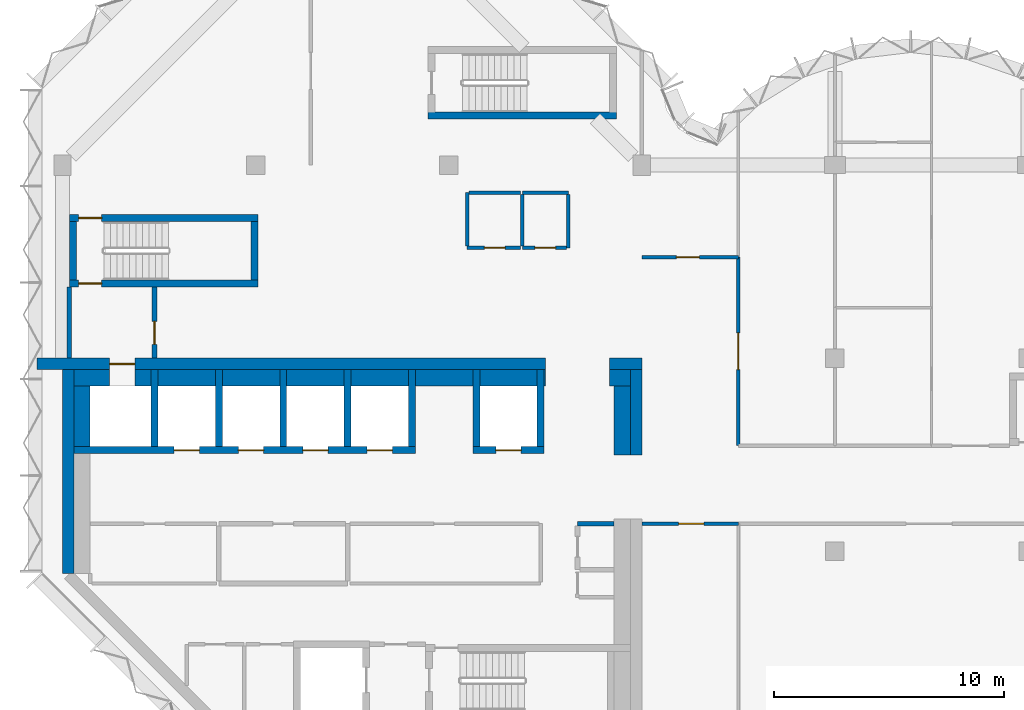
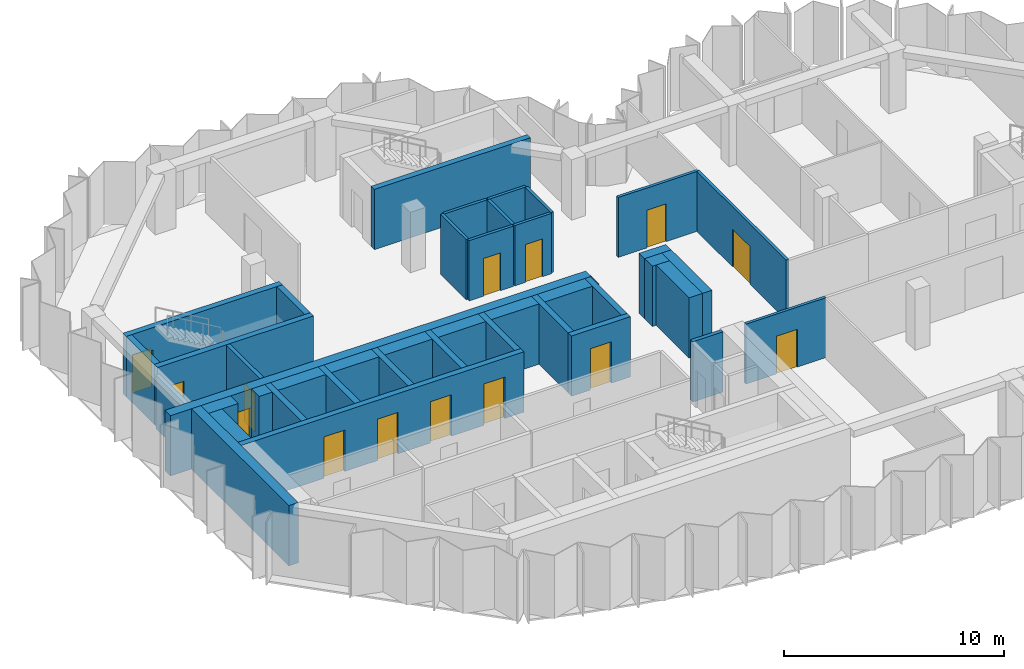
# One storey, part 5 of 9: 43 walls, 14 doors, 14 openings.
"""IFC4 building model written with IfcOpenShell, lengths in metres."""

import ifcopenshell
import ifcopenshell.guid

model = None  # the IFC model being written
_history = None  # IfcOwnerHistory: only IFC2X3 demands one
_inside = {}  # id of a spatial element -> (the spatial element, [elements in it])
_under = {}  # id of a project, library or spatial element -> (it, [spatial elements below it])
_declared = {}  # id of a project -> (the project, [libraries it declares])
_typed = {}  # id of a type object -> (the type object, [elements of that type])
_made_of = {}  # id of a material, layer set ... -> (it, [elements and type objects made of it])


def new_model(schema):
    """Start an empty IFC model of exactly this schema.

    Asked for "IFC4X3", IfcOpenShell would pick the latest addendum, in which some entities
    have other attributes; the version numbers below select the first issue.
    IFC2X3 requires an IfcOwnerHistory on every rooted entity: one is made here for all.
    """
    global model, _history
    if schema == "IFC4X3":
        model = ifcopenshell.file(schema_version=(4, 3, 0, 0))
    else:
        model = ifcopenshell.file(schema=schema)
    _inside.clear()
    _under.clear()
    _declared.clear()
    _typed.clear()
    _made_of.clear()
    _history = None
    if model.schema == "IFC2X3":
        org = make("IfcOrganization", Name="unknown")
        user = make(
            "IfcPersonAndOrganization",
            ThePerson=make("IfcPerson", FamilyName="unknown"),
            TheOrganization=org,
        )
        app = make(
            "IfcApplication",
            ApplicationDeveloper=org,
            Version="unknown",
            ApplicationFullName="unknown",
            ApplicationIdentifier="unknown",
        )
        _history = make(
            "IfcOwnerHistory",
            OwningUser=user,
            OwningApplication=app,
            ChangeAction="ADDED",
            CreationDate=0,
        )
    return model


def make(cls, **values):
    """One entity of the class cls with the attributes given. An attribute that is None is left unset."""
    return model.create_entity(
        cls, **{name: value for name, value in values.items() if value is not None}
    )


def rooted(cls, **values):
    """An entity with a GlobalId (a new one), such as an element, a storey or a relation."""
    return make(cls, GlobalId=ifcopenshell.guid.new(), OwnerHistory=_history, **values)


def si_unit(unit_type, name, prefix=None):
    """IfcSIUnit, for example si_unit("LENGTHUNIT", "METRE", prefix="MILLI")."""
    return make("IfcSIUnit", UnitType=unit_type, Prefix=prefix, Name=name)


def assignment(units):
    """IfcUnitAssignment: the units of a project."""
    return None if units is None else make("IfcUnitAssignment", Units=units)


def point(xyz):
    """IfcCartesianPoint."""
    return None if xyz is None else make("IfcCartesianPoint", Coordinates=xyz)


def direction(xyz):
    """IfcDirection."""
    return None if xyz is None else make("IfcDirection", DirectionRatios=xyz)


def frame(location, z_axis=None, x_axis=None):
    """IfcAxis2Placement3D, a coordinate frame: its origin and axes. An axis left out is left unset."""
    return make(
        "IfcAxis2Placement3D",
        Location=point(location),
        Axis=direction(z_axis),
        RefDirection=direction(x_axis),
    )


def frame_2d(location, x_axis=None):
    """IfcAxis2Placement2D, a coordinate frame in the plane: its origin and x axis."""
    return make(
        "IfcAxis2Placement2D", Location=point(location), RefDirection=direction(x_axis)
    )


def origin():
    """The frame at (0, 0, 0) with its axes left unset."""
    return frame((0.0, 0.0, 0.0))


def place(relative_to, where):
    """IfcLocalPlacement: puts the frame where relative to a parent placement (None: the world)."""
    return make(
        "IfcLocalPlacement", PlacementRelTo=relative_to, RelativePlacement=where
    )


def context(
    kind, dimensions, precision=None, world=None, true_north=None, identifier=None
):
    """IfcGeometricRepresentationContext, for example the 3D "Model" context."""
    return make(
        "IfcGeometricRepresentationContext",
        ContextIdentifier=identifier,
        ContextType=kind,
        CoordinateSpaceDimension=dimensions,
        Precision=precision,
        WorldCoordinateSystem=world,
        TrueNorth=true_north,
    )


def subcontext(parent, identifier, kind, view, scale=None):
    """IfcGeometricRepresentationSubContext, for example "Body" below "Model"."""
    return make(
        "IfcGeometricRepresentationSubContext",
        ContextIdentifier=identifier,
        ContextType=kind,
        ParentContext=parent,
        TargetScale=scale,
        TargetView=view,
    )


def project(units=None, contexts=None):
    """IfcProject with its units and contexts."""
    return rooted(
        "IfcProject",
        Name="project",
        RepresentationContexts=contexts,
        UnitsInContext=assignment(units),
    )


def spatial(cls, under=None, at=None, **own):
    """A site, building, storey or space (cls), placed at a placement, below another one or the project."""
    s = rooted(cls, ObjectPlacement=at, **own)
    if under is not None:
        _under.setdefault(under.id(), (under, []))[1].append(s)
    return s


def profile(cls, at=None, kind="AREA", **sizes):
    """A parametric profile (cls). Its sizes go by their IFC names, for example OverallWidth=200.0."""
    return make(cls, ProfileType=kind, Position=at, **sizes)


def rectangle(**sizes):
    """IfcRectangleProfileDef."""
    return profile("IfcRectangleProfileDef", **sizes)


def extrude(swept, where, along, depth):
    """IfcExtrudedAreaSolid: the profile swept, set in the frame where, extruded along a direction by depth."""
    return make(
        "IfcExtrudedAreaSolid",
        SweptArea=swept,
        Position=where,
        ExtrudedDirection=direction(along),
        Depth=depth,
    )


def shape(context_of_items, identifier, shape_type, items):
    """IfcShapeRepresentation: the items that make up one representation, for example the "Body"."""
    return make(
        "IfcShapeRepresentation",
        ContextOfItems=context_of_items,
        RepresentationIdentifier=identifier,
        RepresentationType=shape_type,
        Items=items,
    )


def material(Name=None, Category=None):
    """IfcMaterial."""
    return make("IfcMaterial", Name=Name, Category=Category)


def layer(
    of_material, thickness, ventilated=None, Name=None, Category=None, Priority=None
):
    """IfcMaterialLayer: one layer of a wall or slab, of a material (None: an air gap)."""
    return make(
        "IfcMaterialLayer",
        Material=of_material,
        LayerThickness=thickness,
        IsVentilated=ventilated,
        Name=Name,
        Category=Category,
        Priority=Priority,
    )


def layer_set(layers, Name=None):
    """IfcMaterialLayerSet."""
    return make("IfcMaterialLayerSet", MaterialLayers=layers, LayerSetName=Name)


def made_of(thing, what):
    """Note that an element or type object is made of a material, layer set ...; save() writes the relation."""
    if what is not None:
        _made_of.setdefault(what.id(), (what, []))[1].append(thing)
    return thing


def type_object(cls, material=None, **own):
    """A type object (cls), such as IfcWallType, which elements share."""
    return made_of(rooted(cls, **own), material)


def element(
    cls,
    number,
    at=None,
    inside=None,
    cuts=None,
    type_object=None,
    material=None,
    context=None,
    identifier="Body",
    shape_type=None,
    held_by="IfcProductDefinitionShape",
    body=None,
    shapes=None,
    **own,
):
    """One element of the class cls, such as IfcWall. Its Tag is "e" and its number.

    at: its placement. inside: the storey or other place that contains it. cuts: it is an
    opening in that element (IfcRelVoidsElement). A single representation is given by context,
    identifier, shape_type and body (its items); several are given by shapes. held_by: the class
    of the entity that holds the representations. save() writes the other relations.
    """
    e = rooted(cls, Tag="e%d" % number, ObjectPlacement=at, **own)
    if body is not None:
        shapes = [shape(context, identifier, shape_type, body)]
    if shapes is not None:
        e.Representation = make(held_by, Representations=shapes)
    if inside is not None:
        _inside.setdefault(inside.id(), (inside, []))[1].append(e)
    if cuts is not None:
        rooted(
            "IfcRelVoidsElement", RelatingBuildingElement=cuts, RelatedOpeningElement=e
        )
    if type_object is not None:
        _typed.setdefault(type_object.id(), (type_object, []))[1].append(e)
    return made_of(e, material)


def fill(opening, filler):
    """IfcRelFillsElement: the door or window that sits in an opening."""
    return rooted(
        "IfcRelFillsElement",
        RelatingOpeningElement=opening,
        RelatedBuildingElement=filler,
    )


def aggregate(whole, parts):
    """IfcRelAggregates: a whole, such as a stair, and the parts it consists of."""
    return rooted("IfcRelAggregates", RelatingObject=whole, RelatedObjects=parts)


def save(model, path):
    """Write the relations noted so far, then the file.

    IfcRelAggregates (storeys below a building ...), IfcRelContainedInSpatialStructure (elements
    in a storey), IfcRelDefinesByType, IfcRelAssociatesMaterial and IfcRelDeclares: one each for
    every whole, place, type object, material and project.
    """
    for whole, parts in _under.values():
        aggregate(whole, parts)
    for where, things in _inside.values():
        rooted(
            "IfcRelContainedInSpatialStructure",
            RelatedElements=things,
            RelatingStructure=where,
        )
    for kind, things in _typed.values():
        rooted("IfcRelDefinesByType", RelatedObjects=things, RelatingType=kind)
    for what, things in _made_of.values():
        rooted("IfcRelAssociatesMaterial", RelatedObjects=things, RelatingMaterial=what)
    for by, libraries in _declared.values():
        rooted("IfcRelDeclares", RelatingContext=by, RelatedDefinitions=libraries)
    model.write(path)


model = new_model("IFC4")

# Units and contexts
model_context = context("Model", 3, precision=1e-05, world=origin(), true_north=direction((0.0, 1.0)))
body_context = subcontext(model_context, "Body", "Model", "MODEL_VIEW")
ifc_project = project(units=[si_unit("LENGTHUNIT", "METRE"), si_unit("AREAUNIT", "SQUARE_METRE"), si_unit("VOLUMEUNIT", "CUBIC_METRE"), si_unit("PLANEANGLEUNIT", "RADIAN"), si_unit("MASSUNIT", "GRAM", prefix="KILO")], contexts=[model_context])

# Site, building, storey
site_placement = place(None, origin())
site = spatial("IfcSite", under=ifc_project, at=site_placement, CompositionType="ELEMENT")
building_placement = place(site_placement, origin())
building = spatial("IfcBuilding", under=site, at=building_placement, Name="Brevane Broadcast Tower", CompositionType="ELEMENT")
storey_placement = place(building_placement, frame((0.0, 0.0, 240.89990234375)))
storey = spatial("IfcBuildingStorey", under=building, at=storey_placement, Name="L61", CompositionType="ELEMENT", Elevation=240.89990234375)

# Walls
ifc_material_1 = material(Name="Concrete C32/40", Category="concrete")
ifc_layer_1 = layer(ifc_material_1, 0.699951171875)
ifc_layer_set_1 = layer_set([ifc_layer_1], Name="Core chase wall 700 mm")
wall_type_1 = type_object("IfcWallType", Name="Core chase wall 700 mm", PredefinedType="PARTITIONING", material=ifc_layer_set_1)
wall_1_placement = place(storey_placement, frame((24.35009765625, 12.60009765625, 0.0), z_axis=(0.0, 0.0, 1.0), x_axis=(0.0, 1.0, 0.0)))
element("IfcWall", 1, at=wall_1_placement, inside=storey, type_object=wall_type_1, Name="L61 chase wall LE2", PredefinedType="PARTITIONING", context=body_context, shape_type="SweptSolid", body=[
    extrude(rectangle(XDim=3.0, YDim=0.699951171875, at=frame_2d((1.5, 0.0))), origin(), (0.0, 0.0, 1.0), 3.35009765625),
])
wall_2_placement = place(storey_placement, frame((0.5, 15.949951171875, 0.0), z_axis=(0.0, 0.0, 1.0), x_axis=(1.0, 0.0, 0.0)))
element("IfcWall", 2, at=wall_2_placement, inside=storey, type_object=wall_type_1, Name="L61 chase wall LN0", PredefinedType="PARTITIONING", context=body_context, shape_type="SweptSolid", body=[
    extrude(rectangle(XDim=1.550048828125, YDim=0.699951171875, at=frame_2d((0.77490234375, 0.0))), origin(), (0.0, 0.0, 1.0), 3.35009765625),
])
wall_3_placement = place(storey_placement, frame((23.800048828125, 15.949951171875, 0.0), z_axis=(0.0, 0.0, 1.0), x_axis=(1.0, 0.0, 0.0)))
element("IfcWall", 3, at=wall_3_placement, inside=storey, type_object=wall_type_1, Name="L61 chase wall LN2", PredefinedType="PARTITIONING", context=body_context, shape_type="SweptSolid", body=[
    extrude(rectangle(XDim=0.89990234375, YDim=0.699951171875, at=frame_2d((0.449951171875, 0.0))), origin(), (0.0, 0.0, 1.0), 3.35009765625),
])
wall_4_placement = place(storey_placement, frame((0.85009765625, 12.949951171875, 0.0), z_axis=(0.0, 0.0, 1.0), x_axis=(0.0, 1.0, 0.0)))
element("IfcWall", 4, at=wall_4_placement, inside=storey, type_object=wall_type_1, Name="L61 chase wall LW-2", PredefinedType="PARTITIONING", context=body_context, shape_type="SweptSolid", body=[
    extrude(rectangle(XDim=2.650146484375, YDim=0.699951171875, at=frame_2d((1.3251953125, 0.0))), origin(), (0.0, 0.0, 1.0), 3.35009765625),
])
wall_5_placement = place(storey_placement, frame((3.14990234375, 15.949951171875, 0.0), z_axis=(0.0, 0.0, 1.0), x_axis=(1.0, 0.0, 0.0)))
element("IfcWall", 5, at=wall_5_placement, inside=storey, type_object=wall_type_1, Name="L61 chase wall LN1-1", PredefinedType="PARTITIONING", context=body_context, shape_type="SweptSolid", body=[
    extrude(rectangle(XDim=0.7001953125, YDim=0.699951171875, at=frame_2d((0.35009765625, 0.0))), origin(), (0.0, 0.0, 1.0), 3.35009765625),
])
for number, where, z_axis, x_axis, name in (
    (6, (4.14990234375, 15.949951171875, 0.0), (0.0, 0.0, 1.0), (1.0, 0.0, 0.0), "L61 chase wall LN1-2-1"),
    (7, (6.949951171875, 15.949951171875, 0.0), (0.0, 0.0, 1.0), (1.0, 0.0, 0.0), "L61 chase wall LN1-2-2-1"),
    (8, (9.75, 15.949951171875, 0.0), (0.0, 0.0, 1.0), (1.0, 0.0, 0.0), "L61 chase wall LN1-2-2-2-1"),
    (9, (12.550048828125, 15.949951171875, 0.0), (0.0, 0.0, 1.0), (1.0, 0.0, 0.0), "L61 chase wall LN1-2-2-2-2-1"),
    (10, (15.35009765625, 15.949951171875, 0.0), (0.0, 0.0, 1.0), (1.0, 0.0, 0.0), "L61 chase wall LN1-2-2-2-2-2-1"),
    (11, (18.14990234375, 15.949951171875, 0.0), (0.0, 0.0, 1.0), (1.0, 0.0, 0.0), "L61 chase wall LN1-2-2-2-2-2-2-1"),
):
    element("IfcWall", number, at=place(storey_placement, frame(where, z_axis=z_axis, x_axis=x_axis)), inside=storey, type_object=wall_type_1, Name=name, PredefinedType="PARTITIONING", context=body_context, shape_type="SweptSolid", body=[
        extrude(rectangle(XDim=2.5, YDim=0.699951171875, at=frame_2d((1.25, 0.0))), origin(), (0.0, 0.0, 1.0), 3.35009765625),
    ])
wall_6_placement = place(storey_placement, frame((20.949951171875, 15.949951171875, 0.0), z_axis=(0.0, 0.0, 1.0), x_axis=(1.0, 0.0, 0.0)))
element("IfcWall", 12, at=wall_6_placement, inside=storey, type_object=wall_type_1, Name="L61 chase wall LN1-2-2-2-2-2-2-2", PredefinedType="PARTITIONING", context=body_context, shape_type="SweptSolid", body=[
    extrude(rectangle(XDim=0.050048828125, YDim=0.699951171875, at=frame_2d((0.02490234375, 0.0))), origin(), (0.0, 0.0, 1.0), 3.35009765625),
])
ifc_material_2 = material(Name="Gypsum board on steel studs", Category="steel")
ifc_layer_2 = layer(ifc_material_2, 0.14990234375)
ifc_layer_set_2 = layer_set([ifc_layer_2], Name="Core fire partition 150 mm")
wall_type_2 = type_object("IfcWallType", Name="Core fire partition 150 mm", PredefinedType="PARTITIONING", material=ifc_layer_set_2)
wall_7_placement = place(storey_placement, frame((20.0, 24.0, 0.0), z_axis=(0.0, 0.0, 1.0), x_axis=(1.0, 0.0, 0.0)))
element("IfcWall", 13, at=wall_7_placement, inside=storey, type_object=wall_type_2, Name="L61 partition wall P22", PredefinedType="PARTITIONING", context=body_context, shape_type="SweptSolid", body=[
    extrude(rectangle(XDim=2.0, YDim=0.14990234375, at=frame_2d((1.0, 0.0))), origin(), (0.0, 0.0, 1.0), 3.35009765625),
])
wall_8_placement = place(storey_placement, frame((22.0, 23.925048828125, 0.0), z_axis=(0.0, 0.0, 1.0), x_axis=(0.0, -1.0, 0.0)))
element("IfcWall", 14, at=wall_8_placement, inside=storey, type_object=wall_type_2, Name="L61 partition wall P23", PredefinedType="PARTITIONING", context=body_context, shape_type="SweptSolid", body=[
    extrude(rectangle(XDim=2.324951171875, YDim=0.14990234375, at=frame_2d((1.16259765625, 0.0))), origin(), (0.0, 0.0, 1.0), 3.35009765625),
])

# Wall, opening, door
wall_9_placement = place(storey_placement, frame((21.925048828125, 21.60009765625, 0.0), z_axis=(0.0, 0.0, 1.0), x_axis=(-1.0, 0.0, 0.0)))
wall_9 = element("IfcWall", 15, at=wall_9_placement, inside=storey, type_object=wall_type_2, Name="L61 partition wall P24", PredefinedType="PARTITIONING", context=body_context, shape_type="SweptSolid", body=[
    extrude(rectangle(XDim=1.925048828125, YDim=0.14990234375, at=frame_2d((0.96240234375, 0.0))), origin(), (0.0, 0.0, 1.0), 3.35009765625),
])
opening_1_placement = place(wall_9_placement, frame((0.47509765625, 0.0, 0.0)))
opening_1 = element("IfcOpeningElement", 16, at=opening_1_placement, cuts=wall_9, Name="Opening L61-K23", PredefinedType="OPENING", context=body_context, shape_type="SweptSolid", body=[
    extrude(rectangle(XDim=0.89990234375, YDim=2.10009765625, at=frame_2d((0.449951171875, 1.050048828125))), frame((0.0, 0.0849609375, 0.0), z_axis=(0.0, -1.0, 0.0), x_axis=(1.0, 0.0, 0.0)), (0.0, 0.0, 1.0), 0.169921875),
])
ifc_material_3 = material(Name="Timber", Category="wood")
door_type_1 = type_object("IfcDoorType", Name="Toilet door 900 x 2100", OperationType="SINGLE_SWING_LEFT", PredefinedType="DOOR", material=ifc_material_3)
door_1_placement = place(opening_1_placement, origin())
door_1 = element("IfcDoor", 17, at=door_1_placement, inside=storey, type_object=door_type_1, Name="Door L61-K23", OperationType="SINGLE_SWING_RIGHT", OverallHeight=2.10009765625, OverallWidth=0.89990234375, PredefinedType="DOOR", context=body_context, shape_type="SweptSolid", body=[
    extrude(rectangle(XDim=0.89990234375, YDim=2.10009765625, at=frame_2d((0.449951171875, 1.050048828125))), frame((0.0, 0.02490234375, 0.0), z_axis=(0.0, -1.0, 0.0), x_axis=(1.0, 0.0, 0.0)), (0.0, 0.0, 1.0), 0.050048828125),
])
fill(opening_1, door_1)

# Wall
wall_10_placement = place(storey_placement, frame((20.0, 21.675048828125, 0.0), z_axis=(0.0, 0.0, 1.0), x_axis=(0.0, 1.0, 0.0)))
element("IfcWall", 18, at=wall_10_placement, inside=storey, type_object=wall_type_2, Name="L61 partition wall P25", PredefinedType="PARTITIONING", context=body_context, shape_type="SweptSolid", body=[
    extrude(rectangle(XDim=2.25, YDim=0.14990234375, at=frame_2d((1.125, 0.0))), origin(), (0.0, 0.0, 1.0), 3.35009765625),
])

# Wall, opening, door
wall_11_placement = place(storey_placement, frame((19.925048828125, 21.60009765625, 0.0), z_axis=(0.0, 0.0, 1.0), x_axis=(-1.0, 0.0, 0.0)))
wall_11 = element("IfcWall", 19, at=wall_11_placement, inside=storey, type_object=wall_type_2, Name="L61 partition wall P26", PredefinedType="PARTITIONING", context=body_context, shape_type="SweptSolid", body=[
    extrude(rectangle(XDim=2.324951171875, YDim=0.14990234375, at=frame_2d((1.16259765625, 0.0))), origin(), (0.0, 0.0, 1.0), 3.35009765625),
])
opening_2_placement = place(wall_11_placement, frame((0.675048828125, 0.0, 0.0)))
opening_2 = element("IfcOpeningElement", 20, at=opening_2_placement, cuts=wall_11, Name="Opening L61-K24", PredefinedType="OPENING", context=body_context, shape_type="SweptSolid", body=[
    extrude(rectangle(XDim=0.89990234375, YDim=2.10009765625, at=frame_2d((0.449951171875, 1.050048828125))), frame((0.0, 0.0849609375, 0.0), z_axis=(0.0, -1.0, 0.0), x_axis=(1.0, 0.0, 0.0)), (0.0, 0.0, 1.0), 0.169921875),
])
ifc_material_4 = material(Name="Steel", Category="steel")
door_type_2 = type_object("IfcDoorType", Name="Service room door 900 x 2100", OperationType="SINGLE_SWING_LEFT", PredefinedType="DOOR", material=ifc_material_4)
door_2_placement = place(opening_2_placement, origin())
door_2 = element("IfcDoor", 21, at=door_2_placement, inside=storey, type_object=door_type_2, Name="Door L61-K24", OperationType="SINGLE_SWING_LEFT", OverallHeight=2.10009765625, OverallWidth=0.89990234375, PredefinedType="DOOR", context=body_context, shape_type="SweptSolid", body=[
    extrude(rectangle(XDim=0.89990234375, YDim=2.10009765625, at=frame_2d((0.449951171875, 1.050048828125))), frame((0.0, 0.02490234375, 0.0), z_axis=(0.0, -1.0, 0.0), x_axis=(1.0, 0.0, 0.0)), (0.0, 0.0, 1.0), 0.050048828125),
])
fill(opening_2, door_2)

# Walls
wall_12_placement = place(storey_placement, frame((17.60009765625, 21.675048828125, 0.0), z_axis=(0.0, 0.0, 1.0), x_axis=(0.0, 1.0, 0.0)))
element("IfcWall", 22, at=wall_12_placement, inside=storey, type_object=wall_type_2, Name="L61 partition wall P27", PredefinedType="PARTITIONING", context=body_context, shape_type="SweptSolid", body=[
    extrude(rectangle(XDim=2.324951171875, YDim=0.14990234375, at=frame_2d((1.16259765625, 0.0))), origin(), (0.0, 0.0, 1.0), 3.35009765625),
])
wall_13_placement = place(storey_placement, frame((17.675048828125, 24.0, 0.0), z_axis=(0.0, 0.0, 1.0), x_axis=(1.0, 0.0, 0.0)))
element("IfcWall", 23, at=wall_13_placement, inside=storey, type_object=wall_type_2, Name="L61 partition wall P28", PredefinedType="PARTITIONING", context=body_context, shape_type="SweptSolid", body=[
    extrude(rectangle(XDim=2.25, YDim=0.14990234375, at=frame_2d((1.125, 0.0))), origin(), (0.0, 0.0, 1.0), 3.35009765625),
])
ifc_layer_3 = layer(ifc_material_2, 0.199951171875)
ifc_layer_set_3 = layer_set([ifc_layer_3], Name="Core fire partition 200 mm")
wall_type_3 = type_object("IfcWallType", Name="Core fire partition 200 mm", PredefinedType="PARTITIONING", material=ifc_layer_set_3)
wall_14_placement = place(storey_placement, frame((0.300048828125, 16.81201171875, 0.0), z_axis=(0.0, 0.0, 1.0), x_axis=(0.0, 1.0, 0.0)))
element("IfcWall", 24, at=wall_14_placement, inside=storey, type_object=wall_type_3, Name="L61 partition wall P01", PredefinedType="PARTITIONING", context=body_context, shape_type="SweptSolid", body=[
    extrude(rectangle(XDim=3.075927734375, YDim=0.199951171875, at=frame_2d((1.5380859375, 0.0))), origin(), (0.0, 0.0, 1.0), 2.97998046875),
])

# Wall, opening, door
wall_15_placement = place(storey_placement, frame((4.0, 19.887939453125, 0.0), z_axis=(0.0, 0.0, 1.0), x_axis=(0.0, -1.0, 0.0)))
wall_15 = element("IfcWall", 25, at=wall_15_placement, inside=storey, type_object=wall_type_3, Name="L61 partition wall P02", PredefinedType="PARTITIONING", context=body_context, shape_type="SweptSolid", body=[
    extrude(rectangle(XDim=3.075927734375, YDim=0.199951171875, at=frame_2d((1.5380859375, 0.0))), origin(), (0.0, 0.0, 1.0), 3.35009765625),
])
opening_3_placement = place(wall_15_placement, frame((1.488037109375, 0.0, 0.0)))
opening_3 = element("IfcOpeningElement", 26, at=opening_3_placement, cuts=wall_15, Name="Opening L61-K22", PredefinedType="OPENING", context=body_context, shape_type="SweptSolid", body=[
    extrude(rectangle(XDim=1.0, YDim=2.10009765625, at=frame_2d((0.5, 1.050048828125))), frame((0.0, 0.10986328125, 0.0), z_axis=(0.0, -1.0, 0.0), x_axis=(1.0, 0.0, 0.0)), (0.0, 0.0, 1.0), 0.219970703125),
])
door_type_3 = type_object("IfcDoorType", Name="Stair door 1000 x 2100", OperationType="SINGLE_SWING_LEFT", PredefinedType="DOOR", material=ifc_material_4)
door_3_placement = place(opening_3_placement, origin())
door_3 = element("IfcDoor", 27, at=door_3_placement, inside=storey, type_object=door_type_3, Name="Door L61-K22", OperationType="SINGLE_SWING_LEFT", OverallHeight=2.10009765625, OverallWidth=1.0, PredefinedType="DOOR", context=body_context, shape_type="SweptSolid", body=[
    extrude(rectangle(XDim=1.0, YDim=2.10009765625, at=frame_2d((0.5, 1.050048828125))), frame((0.0, 0.02490234375, 0.0), z_axis=(0.0, -1.0, 0.0), x_axis=(1.0, 0.0, 0.0)), (0.0, 0.0, 1.0), 0.050048828125),
])
fill(opening_3, door_3)

# Wall
wall_16_placement = place(storey_placement, frame((23.988037109375, 9.60009765625, 0.0), z_axis=(0.0, 0.0, 1.0), x_axis=(-1.0, 0.0, 0.0)))
element("IfcWall", 28, at=wall_16_placement, inside=storey, type_object=wall_type_3, Name="L61 partition wall P04", PredefinedType="PARTITIONING", context=body_context, shape_type="SweptSolid", body=[
    extrude(rectangle(XDim=1.588134765625, YDim=0.199951171875, at=frame_2d((0.7939453125, 0.0))), origin(), (0.0, 0.0, 1.0), 3.35009765625),
])

# Wall, openings, doors
ifc_material_5 = material(Name="Concrete C50/60", Category="concrete")
ifc_layer_4 = layer(ifc_material_5, 0.300048828125)
ifc_layer_set_4 = layer_set([ifc_layer_4], Name="Core wall 300 mm C50/60")
wall_type_4 = type_object("IfcWallType", Name="Core wall 300 mm C50/60", PredefinedType="SHEAR", material=ifc_layer_set_4)
wall_17_placement = place(storey_placement, frame((0.5, 12.800048828125, 0.0), z_axis=(0.0, 0.0, 1.0), x_axis=(1.0, 0.0, 0.0)))
wall_17 = element("IfcWall", 29, at=wall_17_placement, inside=storey, type_object=wall_type_4, Name="L61 shaft wall SH-N012-front", PredefinedType="SHEAR", context=body_context, shape_type="SweptSolid", body=[
    extrude(rectangle(XDim=14.85009765625, YDim=0.300048828125, at=frame_2d((7.425048828125, 0.0))), origin(), (0.0, 0.0, 1.0), 3.35009765625),
])
opening_4_placement = place(wall_17_placement, frame((4.35009765625, 0.0, 0.0)))
opening_4 = element("IfcOpeningElement", 30, at=opening_4_placement, cuts=wall_17, Name="Opening LD", PredefinedType="OPENING", context=body_context, shape_type="SweptSolid", body=[
    extrude(rectangle(XDim=1.10009765625, YDim=2.300048828125, at=frame_2d((0.550048828125, 1.14990234375))), frame((0.0, 0.159912109375, 0.0), z_axis=(0.0, -1.0, 0.0), x_axis=(1.0, 0.0, 0.0)), (0.0, 0.0, 1.0), 0.320068359375),
])
opening_5_placement = place(wall_17_placement, frame((7.14990234375, 0.0, 0.0)))
opening_5 = element("IfcOpeningElement", 31, at=opening_5_placement, cuts=wall_17, Name="Opening LD", PredefinedType="OPENING", context=body_context, shape_type="SweptSolid", body=[
    extrude(rectangle(XDim=1.10009765625, YDim=2.300048828125, at=frame_2d((0.550048828125, 1.14990234375))), frame((0.0, 0.159912109375, 0.0), z_axis=(0.0, -1.0, 0.0), x_axis=(1.0, 0.0, 0.0)), (0.0, 0.0, 1.0), 0.320068359375),
])
opening_6_placement = place(wall_17_placement, frame((9.949951171875, 0.0, 0.0)))
opening_6 = element("IfcOpeningElement", 32, at=opening_6_placement, cuts=wall_17, Name="Opening LD", PredefinedType="OPENING", context=body_context, shape_type="SweptSolid", body=[
    extrude(rectangle(XDim=1.10009765625, YDim=2.300048828125, at=frame_2d((0.550048828125, 1.14990234375))), frame((0.0, 0.159912109375, 0.0), z_axis=(0.0, -1.0, 0.0), x_axis=(1.0, 0.0, 0.0)), (0.0, 0.0, 1.0), 0.320068359375),
])
opening_7_placement = place(wall_17_placement, frame((12.75, 0.0, 0.0)))
opening_7 = element("IfcOpeningElement", 33, at=opening_7_placement, cuts=wall_17, Name="Opening LD", PredefinedType="OPENING", context=body_context, shape_type="SweptSolid", body=[
    extrude(rectangle(XDim=1.10009765625, YDim=2.300048828125, at=frame_2d((0.550048828125, 1.14990234375))), frame((0.0, 0.159912109375, 0.0), z_axis=(0.0, -1.0, 0.0), x_axis=(1.0, 0.0, 0.0)), (0.0, 0.0, 1.0), 0.320068359375),
])
ifc_material_6 = material(Name="Stainless steel", Category="steel")
door_type_4 = type_object("IfcDoorType", Name="Lift landing door", OperationType="SLIDING_TO_LEFT", PredefinedType="DOOR", material=ifc_material_6)
door_4_placement = place(opening_4_placement, origin())
door_4 = element("IfcDoor", 34, at=door_4_placement, inside=storey, type_object=door_type_4, Name="Landing door HR1 L61", OperationType="SLIDING_TO_LEFT", OverallHeight=2.300048828125, OverallWidth=1.10009765625, PredefinedType="DOOR", context=body_context, shape_type="SweptSolid", body=[
    extrude(rectangle(XDim=1.10009765625, YDim=2.300048828125, at=frame_2d((0.550048828125, 1.14990234375))), frame((0.0, 0.02490234375, 0.0), z_axis=(0.0, -1.0, 0.0), x_axis=(1.0, 0.0, 0.0)), (0.0, 0.0, 1.0), 0.050048828125),
])
fill(opening_4, door_4)
door_5_placement = place(opening_5_placement, origin())
door_5 = element("IfcDoor", 35, at=door_5_placement, inside=storey, type_object=door_type_4, Name="Landing door HR2 L61", OperationType="SLIDING_TO_LEFT", OverallHeight=2.300048828125, OverallWidth=1.10009765625, PredefinedType="DOOR", context=body_context, shape_type="SweptSolid", body=[
    extrude(rectangle(XDim=1.10009765625, YDim=2.300048828125, at=frame_2d((0.550048828125, 1.14990234375))), frame((0.0, 0.02490234375, 0.0), z_axis=(0.0, -1.0, 0.0), x_axis=(1.0, 0.0, 0.0)), (0.0, 0.0, 1.0), 0.050048828125),
])
fill(opening_5, door_5)
door_6_placement = place(opening_6_placement, origin())
door_6 = element("IfcDoor", 36, at=door_6_placement, inside=storey, type_object=door_type_4, Name="Landing door HR3 L61", OperationType="SLIDING_TO_LEFT", OverallHeight=2.300048828125, OverallWidth=1.10009765625, PredefinedType="DOOR", context=body_context, shape_type="SweptSolid", body=[
    extrude(rectangle(XDim=1.10009765625, YDim=2.300048828125, at=frame_2d((0.550048828125, 1.14990234375))), frame((0.0, 0.02490234375, 0.0), z_axis=(0.0, -1.0, 0.0), x_axis=(1.0, 0.0, 0.0)), (0.0, 0.0, 1.0), 0.050048828125),
])
fill(opening_6, door_6)
door_7_placement = place(opening_7_placement, origin())
door_7 = element("IfcDoor", 37, at=door_7_placement, inside=storey, type_object=door_type_4, Name="Landing door HR4 L61", OperationType="SLIDING_TO_LEFT", OverallHeight=2.300048828125, OverallWidth=1.10009765625, PredefinedType="DOOR", context=body_context, shape_type="SweptSolid", body=[
    extrude(rectangle(XDim=1.10009765625, YDim=2.300048828125, at=frame_2d((0.550048828125, 1.14990234375))), frame((0.0, 0.02490234375, 0.0), z_axis=(0.0, -1.0, 0.0), x_axis=(1.0, 0.0, 0.0)), (0.0, 0.0, 1.0), 0.050048828125),
])
fill(opening_7, door_7)

# Walls
for number, where, z_axis, x_axis, name in (
    (38, (4.0, 12.949951171875, 0.0), (0.0, 0.0, 1.0), (0.0, 1.0, 0.0), "L61 shaft wall SH-N-P040"),
    (39, (6.800048828125, 12.949951171875, 0.0), (0.0, 0.0, 1.0), (0.0, 1.0, 0.0), "L61 shaft wall SH-N-P068"),
    (40, (9.60009765625, 12.949951171875, 0.0), (0.0, 0.0, 1.0), (0.0, 1.0, 0.0), "L61 shaft wall SH-N-P096"),
    (41, (12.39990234375, 12.949951171875, 0.0), (0.0, 0.0, 1.0), (0.0, 1.0, 0.0), "L61 shaft wall SH-N-P124"),
    (42, (15.199951171875, 12.949951171875, 0.0), (0.0, 0.0, 1.0), (0.0, 1.0, 0.0), "L61 shaft wall SH-N-P152"),
):
    element("IfcWall", number, at=place(storey_placement, frame(where, z_axis=z_axis, x_axis=x_axis)), inside=storey, type_object=wall_type_4, Name=name, PredefinedType="SHEAR", context=body_context, shape_type="SweptSolid", body=[
        extrude(rectangle(XDim=3.35009765625, YDim=0.300048828125, at=frame_2d((1.675048828125, 0.0))), origin(), (0.0, 0.0, 1.0), 3.35009765625),
    ])

# Wall, opening, door
wall_18_placement = place(storey_placement, frame((17.85009765625, 12.800048828125, 0.0), z_axis=(0.0, 0.0, 1.0), x_axis=(1.0, 0.0, 0.0)))
wall_18 = element("IfcWall", 43, at=wall_18_placement, inside=storey, type_object=wall_type_4, Name="L61 shaft wall SH-N180-front", PredefinedType="SHEAR", context=body_context, shape_type="SweptSolid", body=[
    extrude(rectangle(XDim=3.099853515625, YDim=0.300048828125, at=frame_2d((1.5498046875, 0.0))), origin(), (0.0, 0.0, 1.0), 3.35009765625),
])
opening_8_placement = place(wall_18_placement, frame((1.0, 0.0, 0.0)))
opening_8 = element("IfcOpeningElement", 44, at=opening_8_placement, cuts=wall_18, Name="Opening LD", PredefinedType="OPENING", context=body_context, shape_type="SweptSolid", body=[
    extrude(rectangle(XDim=1.10009765625, YDim=2.300048828125, at=frame_2d((0.550048828125, 1.14990234375))), frame((0.0, 0.159912109375, 0.0), z_axis=(0.0, -1.0, 0.0), x_axis=(1.0, 0.0, 0.0)), (0.0, 0.0, 1.0), 0.320068359375),
])
door_8_placement = place(opening_8_placement, origin())
door_8 = element("IfcDoor", 45, at=door_8_placement, inside=storey, type_object=door_type_4, Name="Landing door SL1 L61", OperationType="SLIDING_TO_LEFT", OverallHeight=2.300048828125, OverallWidth=1.10009765625, PredefinedType="DOOR", context=body_context, shape_type="SweptSolid", body=[
    extrude(rectangle(XDim=1.10009765625, YDim=2.300048828125, at=frame_2d((0.550048828125, 1.14990234375))), frame((0.0, 0.02490234375, 0.0), z_axis=(0.0, -1.0, 0.0), x_axis=(1.0, 0.0, 0.0)), (0.0, 0.0, 1.0), 0.050048828125),
])
fill(opening_8, door_8)

# Walls
for number, where, z_axis, x_axis, name in (
    (46, (18.0, 12.949951171875, 0.0), (0.0, 0.0, 1.0), (0.0, 1.0, 0.0), "L61 shaft wall SH-N-P180"),
    (47, (20.800048828125, 12.949951171875, 0.0), (0.0, 0.0, 1.0), (0.0, 1.0, 0.0), "L61 shaft wall SH-N-P208"),
):
    element("IfcWall", number, at=place(storey_placement, frame(where, z_axis=z_axis, x_axis=x_axis)), inside=storey, type_object=wall_type_4, Name=name, PredefinedType="SHEAR", context=body_context, shape_type="SweptSolid", body=[
        extrude(rectangle(XDim=3.35009765625, YDim=0.300048828125, at=frame_2d((1.675048828125, 0.0))), origin(), (0.0, 0.0, 1.0), 3.35009765625),
    ])

# Wall, opening, door
wall_19_placement = place(storey_placement, frame((8.5, 20.050048828125, 0.0), z_axis=(0.0, 0.0, 1.0), x_axis=(-1.0, 0.0, 0.0)))
wall_19 = element("IfcWall", 48, at=wall_19_placement, inside=storey, type_object=wall_type_4, Name="L61 stair wall ST-1-S", PredefinedType="SHEAR", context=body_context, shape_type="SweptSolid", body=[
    extrude(rectangle(XDim=8.199951171875, YDim=0.300048828125, at=frame_2d((4.10009765625, 0.0))), origin(), (0.0, 0.0, 1.0), 3.35009765625),
])
opening_9_placement = place(wall_19_placement, frame((6.800048828125, 0.0, 0.0)))
opening_9 = element("IfcOpeningElement", 49, at=opening_9_placement, cuts=wall_19, Name="Opening L61-K08", PredefinedType="OPENING", context=body_context, shape_type="SweptSolid", body=[
    extrude(rectangle(XDim=1.0, YDim=2.10009765625, at=frame_2d((0.5, 1.050048828125))), frame((0.0, 0.159912109375, 0.0), z_axis=(0.0, -1.0, 0.0), x_axis=(1.0, 0.0, 0.0)), (0.0, 0.0, 1.0), 0.320068359375),
])
door_9_placement = place(opening_9_placement, origin())
door_9 = element("IfcDoor", 50, at=door_9_placement, inside=storey, type_object=door_type_3, Name="Door L61-K08", OperationType="SINGLE_SWING_LEFT", OverallHeight=2.10009765625, OverallWidth=1.0, PredefinedType="DOOR", context=body_context, shape_type="SweptSolid", body=[
    extrude(rectangle(XDim=1.0, YDim=2.10009765625, at=frame_2d((0.5, 1.050048828125))), frame((0.0, 0.02490234375, 0.0), z_axis=(0.0, -1.0, 0.0), x_axis=(1.0, 0.0, 0.0)), (0.0, 0.0, 1.0), 0.050048828125),
])
fill(opening_9, door_9)

wall_20_placement = place(storey_placement, frame((0.300048828125, 22.89990234375, 0.0), z_axis=(0.0, 0.0, 1.0), x_axis=(1.0, 0.0, 0.0)))
wall_20 = element("IfcWall", 51, at=wall_20_placement, inside=storey, type_object=wall_type_4, Name="L61 stair wall ST-1-N", PredefinedType="SHEAR", context=body_context, shape_type="SweptSolid", body=[
    extrude(rectangle(XDim=8.199951171875, YDim=0.300048828125, at=frame_2d((4.10009765625, 0.0))), origin(), (0.0, 0.0, 1.0), 3.35009765625),
])
opening_10_placement = place(wall_20_placement, frame((0.39990234375, 0.0, 0.0)))
opening_10 = element("IfcOpeningElement", 52, at=opening_10_placement, cuts=wall_20, Name="Opening L61-K09", PredefinedType="OPENING", context=body_context, shape_type="SweptSolid", body=[
    extrude(rectangle(XDim=1.0, YDim=2.10009765625, at=frame_2d((0.5, 1.050048828125))), frame((0.0, 0.159912109375, 0.0), z_axis=(0.0, -1.0, 0.0), x_axis=(1.0, 0.0, 0.0)), (0.0, 0.0, 1.0), 0.320068359375),
])
door_10_placement = place(opening_10_placement, origin())
door_10 = element("IfcDoor", 53, at=door_10_placement, inside=storey, type_object=door_type_3, Name="Door L61-K09", OperationType="SINGLE_SWING_RIGHT", OverallHeight=2.10009765625, OverallWidth=1.0, PredefinedType="DOOR", context=body_context, shape_type="SweptSolid", body=[
    extrude(rectangle(XDim=1.0, YDim=2.10009765625, at=frame_2d((0.5, 1.050048828125))), frame((0.0, 0.02490234375, 0.0), z_axis=(0.0, -1.0, 0.0), x_axis=(1.0, 0.0, 0.0)), (0.0, 0.0, 1.0), 0.050048828125),
])
fill(opening_10, door_10)

# Walls
for number, where, z_axis, x_axis, name in (
    (54, (0.449951171875, 20.199951171875, 0.0), (0.0, 0.0, 1.0), (0.0, 1.0, 0.0), "L61 stair wall ST-1-W"),
    (55, (8.35009765625, 20.199951171875, 0.0), (0.0, 0.0, 1.0), (0.0, 1.0, 0.0), "L61 stair wall ST-1-E"),
):
    element("IfcWall", number, at=place(storey_placement, frame(where, z_axis=z_axis, x_axis=x_axis)), inside=storey, type_object=wall_type_4, Name=name, PredefinedType="SHEAR", context=body_context, shape_type="SweptSolid", body=[
        extrude(rectangle(XDim=2.550048828125, YDim=0.300048828125, at=frame_2d((1.27490234375, 0.0))), origin(), (0.0, 0.0, 1.0), 3.35009765625),
    ])
wall_21_placement = place(storey_placement, frame((15.89990234375, 27.35009765625, 0.0), z_axis=(0.0, 0.0, 1.0), x_axis=(1.0, 0.0, 0.0)))
element("IfcWall", 56, at=wall_21_placement, inside=storey, type_object=wall_type_4, Name="L61 stair wall ST-3-S", PredefinedType="SHEAR", context=body_context, shape_type="SweptSolid", body=[
    extrude(rectangle(XDim=8.2001953125, YDim=0.300048828125, at=frame_2d((4.10009765625, 0.0))), origin(), (0.0, 0.0, 1.0), 3.35009765625),
])

# Wall, opening, door
ifc_layer_5 = layer(ifc_material_5, 0.5)
ifc_layer_set_5 = layer_set([ifc_layer_5], Name="Core wall 500 mm C50/60")
wall_type_5 = type_object("IfcWallType", Name="Core wall 500 mm C50/60", PredefinedType="SHEAR", material=ifc_layer_set_5)
wall_22_placement = place(storey_placement, frame((-1.10009765625, 16.550048828125, 0.0), z_axis=(0.0, 0.0, 1.0), x_axis=(1.0, 0.0, 0.0)))
wall_22 = element("IfcWall", 57, at=wall_22_placement, inside=storey, type_object=wall_type_5, Name="L61 outer wall WN1", PredefinedType="SHEAR", context=body_context, shape_type="SweptSolid", body=[
    extrude(rectangle(XDim=22.10009765625, YDim=0.5, at=frame_2d((11.050048828125, 0.0))), origin(), (0.0, 0.0, 1.0), 3.35009765625),
])
opening_11_placement = place(wall_22_placement, frame((3.14990234375, 0.0, 0.0)))
opening_11 = element("IfcOpeningElement", 58, at=opening_11_placement, cuts=wall_22, Name="Opening LD", PredefinedType="OPENING", context=body_context, shape_type="SweptSolid", body=[
    extrude(rectangle(XDim=1.10009765625, YDim=2.300048828125, at=frame_2d((0.550048828125, 1.14990234375))), frame((0.0, 0.260009765625, 0.0), z_axis=(0.0, -1.0, 0.0), x_axis=(1.0, 0.0, 0.0)), (0.0, 0.0, 1.0), 0.52001953125),
])
door_11_placement = place(opening_11_placement, origin())
door_11 = element("IfcDoor", 59, at=door_11_placement, inside=storey, type_object=door_type_4, Name="Landing door FF1 L61", OperationType="SLIDING_TO_LEFT", OverallHeight=2.300048828125, OverallWidth=1.10009765625, PredefinedType="DOOR", context=body_context, shape_type="SweptSolid", body=[
    extrude(rectangle(XDim=1.10009765625, YDim=2.300048828125, at=frame_2d((0.550048828125, 1.14990234375))), frame((0.0, 0.02490234375, 0.0), z_axis=(0.0, -1.0, 0.0), x_axis=(1.0, 0.0, 0.0)), (0.0, 0.0, 1.0), 0.050048828125),
])
fill(opening_11, door_11)

# Walls
wall_23_placement = place(storey_placement, frame((23.800048828125, 16.550048828125, 0.0), z_axis=(0.0, 0.0, 1.0), x_axis=(1.0, 0.0, 0.0)))
element("IfcWall", 60, at=wall_23_placement, inside=storey, type_object=wall_type_5, Name="L61 outer wall WN2", PredefinedType="SHEAR", context=body_context, shape_type="SweptSolid", body=[
    extrude(rectangle(XDim=1.39990234375, YDim=0.5, at=frame_2d((0.699951171875, 0.0))), origin(), (0.0, 0.0, 1.0), 3.35009765625),
])
wall_24_placement = place(storey_placement, frame((0.25, 7.436279296875, 0.0), z_axis=(0.0, 0.0, 1.0), x_axis=(0.0, 1.0, 0.0)))
element("IfcWall", 61, at=wall_24_placement, inside=storey, type_object=wall_type_5, Name="L61 outer wall WW", PredefinedType="SHEAR", context=body_context, shape_type="SweptSolid", body=[
    extrude(rectangle(XDim=8.86376953125, YDim=0.5, at=frame_2d((4.431884765625, 0.0))), origin(), (0.0, 0.0, 1.0), 3.35009765625),
])
wall_25_placement = place(storey_placement, frame((24.949951171875, 12.60009765625, 0.0), z_axis=(0.0, 0.0, 1.0), x_axis=(0.0, 1.0, 0.0)))
element("IfcWall", 62, at=wall_25_placement, inside=storey, type_object=wall_type_5, Name="L61 outer wall WE2", PredefinedType="SHEAR", context=body_context, shape_type="SweptSolid", body=[
    extrude(rectangle(XDim=3.699951171875, YDim=0.5, at=frame_2d((1.85009765625, 0.0))), origin(), (0.0, 0.0, 1.0), 3.35009765625),
])

# Wall, opening, door
ifc_material_7 = material(Name="Gypsum board partition")
ifc_layer_6 = layer(ifc_material_7, 0.14990234375)
ifc_layer_set_6 = layer_set([ifc_layer_6], Name="PARTITION 150 EI 60")
wall_type_6 = type_object("IfcWallType", Name="PARTITION 150 EI 60", PredefinedType="PARTITIONING", material=ifc_layer_set_6)
wall_26_placement = place(storey_placement, frame((25.199951171875, 21.199951171875, 0.0), z_axis=(0.0, 0.0, 1.0), x_axis=(1.0, 0.0, 0.0)))
wall_26 = element("IfcWall", 63, at=wall_26_placement, inside=storey, type_object=wall_type_6, Name="Partition G19-001", PredefinedType="PARTITIONING", context=body_context, shape_type="SweptSolid", body=[
    extrude(rectangle(XDim=4.199951171875, YDim=0.14990234375, at=frame_2d((2.10009765625, 0.0))), origin(), (0.0, 0.0, 1.0), 3.330078125),
])
opening_12_placement = place(wall_26_placement, frame((1.5, 0.0, 0.0)))
opening_12 = element("IfcOpeningElement", 64, at=opening_12_placement, cuts=wall_26, Name="Opening D30-001", PredefinedType="OPENING", context=body_context, shape_type="SweptSolid", body=[
    extrude(rectangle(XDim=1.0, YDim=2.10009765625, at=frame_2d((0.5, 1.050048828125))), frame((0.0, 0.0849609375, 0.0), z_axis=(0.0, -1.0, 0.0), x_axis=(1.0, 0.0, 0.0)), (0.0, 0.0, 1.0), 0.169921875),
])
ifc_material_8 = material(Name="Fire-rated timber door leaf", Category="wood")
door_type_5 = type_object("IfcDoorType", Name="DOOR SINGLE 1000 FD30S", OperationType="SINGLE_SWING_LEFT", PredefinedType="DOOR", material=ifc_material_8)
door_12_placement = place(opening_12_placement, origin())
door_12 = element("IfcDoor", 65, at=door_12_placement, inside=storey, type_object=door_type_5, Name="Door D30-001", OperationType="SINGLE_SWING_LEFT", OverallHeight=2.10009765625, OverallWidth=1.0, PredefinedType="DOOR", context=body_context, shape_type="SweptSolid", body=[
    extrude(rectangle(XDim=1.0, YDim=2.10009765625, at=frame_2d((0.5, 1.050048828125))), frame((0.0, 0.02490234375, 0.0), z_axis=(0.0, -1.0, 0.0), x_axis=(1.0, 0.0, 0.0)), (0.0, 0.0, 1.0), 0.050048828125),
])
fill(opening_12, door_12)

wall_27_placement = place(storey_placement, frame((29.39990234375, 9.60009765625, 0.0), z_axis=(0.0, 0.0, 1.0), x_axis=(-1.0, 0.0, 0.0)))
wall_27 = element("IfcWall", 66, at=wall_27_placement, inside=storey, type_object=wall_type_6, Name="Partition G19-002", PredefinedType="PARTITIONING", context=body_context, shape_type="SweptSolid", body=[
    extrude(rectangle(XDim=4.199951171875, YDim=0.14990234375, at=frame_2d((2.10009765625, 0.0))), origin(), (0.0, 0.0, 1.0), 3.330078125),
])
opening_13_placement = place(wall_27_placement, frame((1.5, 0.0, 0.0)))
opening_13 = element("IfcOpeningElement", 67, at=opening_13_placement, cuts=wall_27, Name="Opening D30-003", PredefinedType="OPENING", context=body_context, shape_type="SweptSolid", body=[
    extrude(rectangle(XDim=1.10009765625, YDim=2.10009765625, at=frame_2d((0.550048828125, 1.050048828125))), frame((0.0, 0.0849609375, 0.0), z_axis=(0.0, -1.0, 0.0), x_axis=(1.0, 0.0, 0.0)), (0.0, 0.0, 1.0), 0.169921875),
])
door_type_6 = type_object("IfcDoorType", Name="DOOR SINGLE 1100 FD30S", OperationType="SINGLE_SWING_LEFT", PredefinedType="DOOR", material=ifc_material_8)
door_13_placement = place(opening_13_placement, origin())
door_13 = element("IfcDoor", 68, at=door_13_placement, inside=storey, type_object=door_type_6, Name="Door D30-003", OperationType="SINGLE_SWING_LEFT", OverallHeight=2.10009765625, OverallWidth=1.10009765625, PredefinedType="DOOR", context=body_context, shape_type="SweptSolid", body=[
    extrude(rectangle(XDim=1.10009765625, YDim=2.10009765625, at=frame_2d((0.550048828125, 1.050048828125))), frame((0.0, 0.02490234375, 0.0), z_axis=(0.0, -1.0, 0.0), x_axis=(1.0, 0.0, 0.0)), (0.0, 0.0, 1.0), 0.050048828125),
])
fill(opening_13, door_13)

wall_28_placement = place(storey_placement, frame((29.39990234375, 21.199951171875, 0.0), z_axis=(0.0, 0.0, 1.0), x_axis=(0.0, -1.0, 0.0)))
wall_28 = element("IfcWall", 69, at=wall_28_placement, inside=storey, type_object=wall_type_6, Name="Partition G19-003", PredefinedType="PARTITIONING", context=body_context, shape_type="SweptSolid", body=[
    extrude(rectangle(XDim=8.199951171875, YDim=0.14990234375, at=frame_2d((4.10009765625, 0.0))), origin(), (0.0, 0.0, 1.0), 3.330078125),
])
opening_14_placement = place(wall_28_placement, frame((3.300048828125, 0.0, 0.0)))
opening_14 = element("IfcOpeningElement", 70, at=opening_14_placement, cuts=wall_28, Name="Opening D30-005", PredefinedType="OPENING", context=body_context, shape_type="SweptSolid", body=[
    extrude(rectangle(XDim=1.60009765625, YDim=2.10009765625, at=frame_2d((0.800048828125, 1.050048828125))), frame((0.0, 0.0849609375, 0.0), z_axis=(0.0, -1.0, 0.0), x_axis=(1.0, 0.0, 0.0)), (0.0, 0.0, 1.0), 0.169921875),
])
door_type_7 = type_object("IfcDoorType", Name="DOOR DOUBLE 1600 FD30S", OperationType="DOUBLE_DOOR_SINGLE_SWING", PredefinedType="DOOR", material=ifc_material_8)
door_14_placement = place(opening_14_placement, origin())
door_14 = element("IfcDoor", 71, at=door_14_placement, inside=storey, type_object=door_type_7, Name="Door D30-005", OperationType="DOUBLE_DOOR_SINGLE_SWING", OverallHeight=2.10009765625, OverallWidth=1.60009765625, PredefinedType="DOOR", context=body_context, shape_type="SweptSolid", body=[
    extrude(rectangle(XDim=1.60009765625, YDim=2.10009765625, at=frame_2d((0.800048828125, 1.050048828125))), frame((0.0, 0.02490234375, 0.0), z_axis=(0.0, -1.0, 0.0), x_axis=(1.0, 0.0, 0.0)), (0.0, 0.0, 1.0), 0.050048828125),
])
fill(opening_14, door_14)

save(model, "model.ifc")
